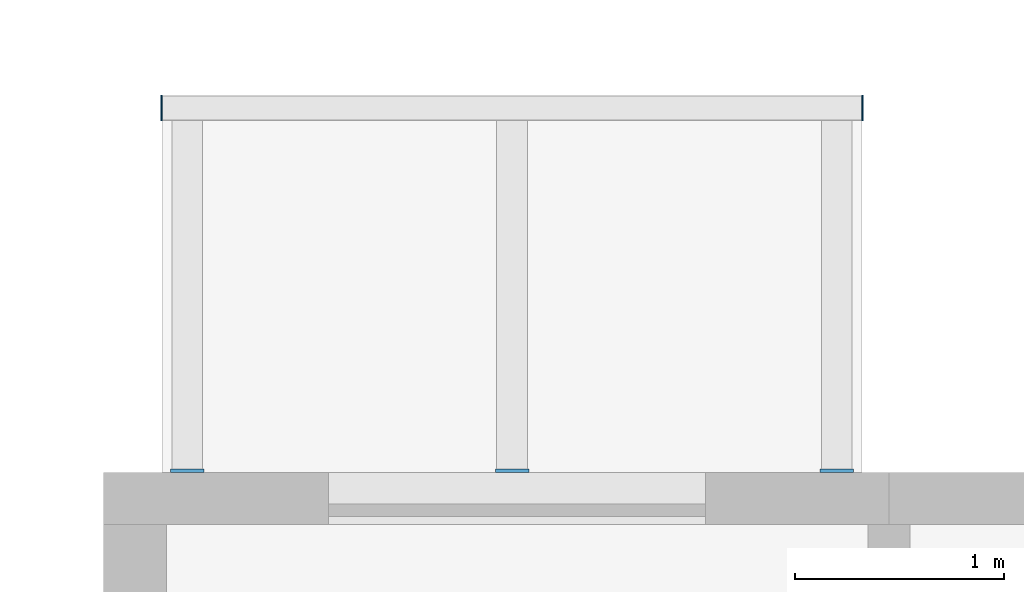
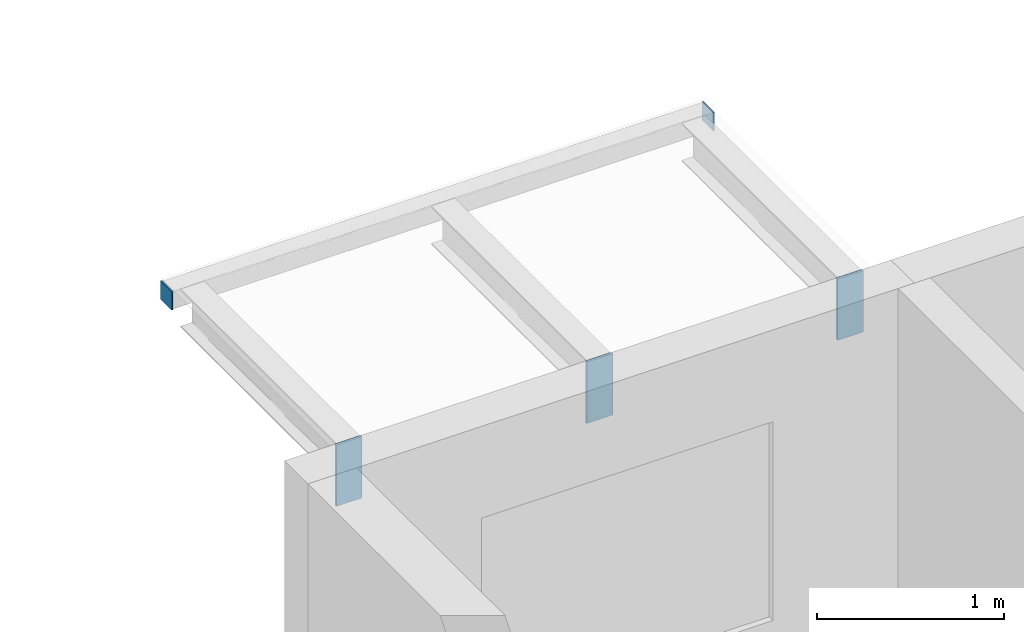
# One storey, part 71 of 98: 5 discrete accessories.
"""IFC4 building model written with IfcOpenShell, lengths in metres."""

from ifc_helpers import new_model, si_unit, direction, frame, origin, origin_2d, place, context, subcontext, project, spatial, rectangle, extrude, material, layer, layer_set, type_object, element, save


model = new_model("IFC4")

# Units and contexts
model_context = context("Model", 3, precision=1e-05, world=origin(), true_north=direction((0.0, 1.0)))
body_context = subcontext(model_context, "Body", "Model", "MODEL_VIEW")
ifc_project = project(units=[si_unit("LENGTHUNIT", "METRE"), si_unit("AREAUNIT", "SQUARE_METRE"), si_unit("VOLUMEUNIT", "CUBIC_METRE"), si_unit("PLANEANGLEUNIT", "RADIAN"), si_unit("MASSUNIT", "GRAM", prefix="KILO")], contexts=[model_context])

# Site, building, storey
site_placement = place(None, origin())
site = spatial("IfcSite", under=ifc_project, at=site_placement, CompositionType="ELEMENT")
building_placement = place(site_placement, origin())
building = spatial("IfcBuilding", under=site, at=building_placement, Name="Ridgestep Commons", CompositionType="ELEMENT")
storey_placement = place(building_placement, frame((0.0, 0.0, 12.0)))
storey = spatial("IfcBuildingStorey", under=building, at=storey_placement, Name="L04", CompositionType="ELEMENT", Elevation=12.0)

# Discrete accessories
ifc_material_1 = material(Name="Weathering steel S355J2W", Category="steel")
ifc_layer_1 = layer(ifc_material_1, 0.014892578125)
ifc_layer_set_1 = layer_set([ifc_layer_1], Name="Tray bracket plate 15")
discrete_accessory_type_1 = type_object("IfcDiscreteAccessoryType", Name="Tray bracket plate 15", PredefinedType="BRACKET", material=ifc_layer_set_1)
for number, where, z_axis, x_axis, name in (
    (1, (147.050048828125, 23.007568359375, 2.588623046875), (0.0, 0.0, 1.0), (1.0, 0.0, 0.0), "Tray bracket D1T1-05.1"),
    (2, (148.60009765625, 23.007568359375, 2.588623046875), (0.0, 0.0, 1.0), (1.0, 0.0, 0.0), "Tray bracket D1T1-05.2"),
    (3, (150.14990234375, 23.007568359375, 2.588623046875), (0.0, 0.0, 1.0), (1.0, 0.0, 0.0), "Tray bracket D1T1-05.3"),
):
    element("IfcDiscreteAccessory", number, at=place(storey_placement, frame(where, z_axis=z_axis, x_axis=x_axis)), inside=storey, type_object=discrete_accessory_type_1, Name=name, PredefinedType="BRACKET", context=body_context, shape_type="SweptSolid", body=[
        extrude(rectangle(XDim=0.159912109375, YDim=0.014892578125, at=origin_2d()), origin(), (0.0, 0.0, 1.0), 0.4013671875),
    ])
ifc_material_2 = material(Name="Weathering steel S355J2W", Category="steel")
ifc_layer_2 = layer(ifc_material_2, 0.008056640625)
ifc_layer_set_2 = layer_set([ifc_layer_2], Name="Tray edge member end plate 120 x 120 x 8")
discrete_accessory_type_2 = type_object("IfcDiscreteAccessoryType", Name="Tray edge member end plate 120 x 120 x 8", PredefinedType="BRACKET", material=ifc_layer_set_2)
for number, where, z_axis, x_axis, name in (
    (4, (146.926025390625, 24.739990234375, 2.869873046875), (0.0, 0.0, 1.0), (1.0, 0.0, 0.0), "Tray edge member end plate D1T1-05 west"),
    (5, (150.27392578125, 24.739990234375, 2.869873046875), (0.0, 0.0, 1.0), (1.0, 0.0, 0.0), "Tray edge member end plate D1T1-05 east"),
):
    element("IfcDiscreteAccessory", number, at=place(storey_placement, frame(where, z_axis=z_axis, x_axis=x_axis)), inside=storey, type_object=discrete_accessory_type_2, Name=name, PredefinedType="BRACKET", context=body_context, shape_type="SweptSolid", body=[
        extrude(rectangle(XDim=0.008056640625, YDim=0.1201171875, at=origin_2d()), origin(), (0.0, 0.0, 1.0), 0.1201171875),
    ])

save(model, "model.ifc")
